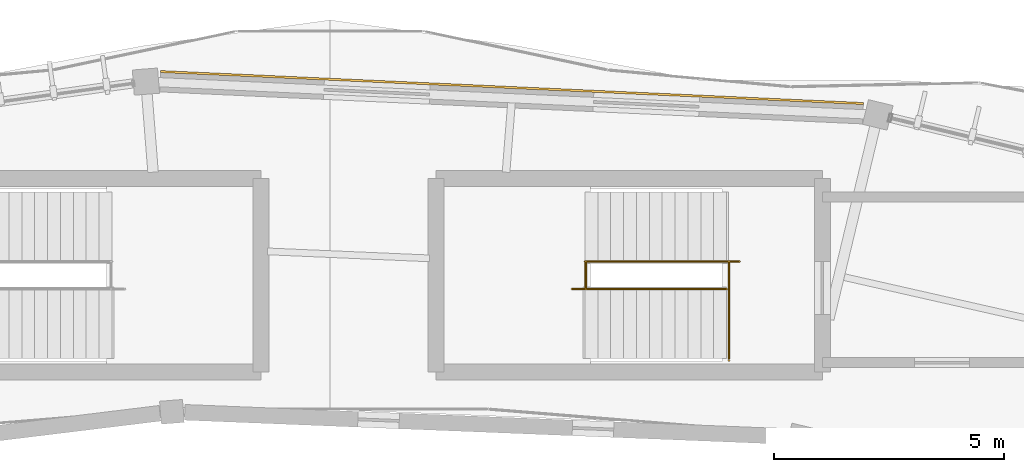
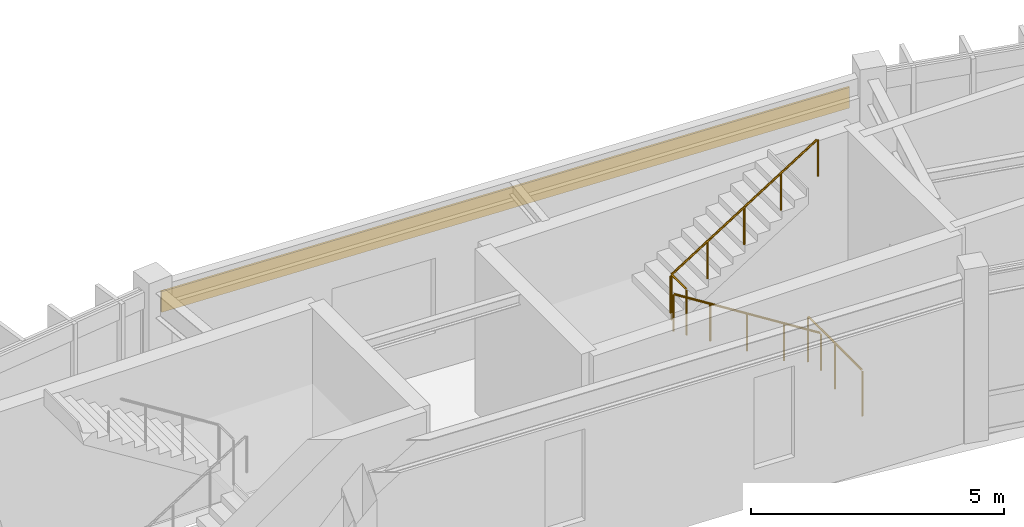
# One storey, part 78 of 79: 4 railings, 1 covering.
"""IFC4 building model written with IfcOpenShell, lengths in metres."""

from ifc_helpers import new_model, si_unit, direction, frame, origin, origin_2d, place, context, subcontext, project, spatial, polyline, circle, outline, extrude, material, layer, layer_set, type_object, element, save


model = new_model("IFC4")

# Units and contexts
model_context = context("Model", 3, precision=1e-05, world=origin(), true_north=direction((0.0, 1.0)))
body_context = subcontext(model_context, "Body", "Model", "MODEL_VIEW")
ifc_project = project(units=[si_unit("LENGTHUNIT", "METRE"), si_unit("AREAUNIT", "SQUARE_METRE"), si_unit("VOLUMEUNIT", "CUBIC_METRE"), si_unit("PLANEANGLEUNIT", "RADIAN"), si_unit("MASSUNIT", "GRAM", prefix="KILO"), si_unit("THERMODYNAMICTEMPERATUREUNIT", "KELVIN"), si_unit("POWERUNIT", "WATT")], contexts=[model_context])

# Site, building, storey
site_placement = place(None, origin())
site = spatial("IfcSite", under=ifc_project, at=site_placement, CompositionType="ELEMENT")
building_placement = place(site_placement, origin())
building = spatial("IfcBuilding", under=site, at=building_placement, Name="Darbajah Civic Hall", CompositionType="ELEMENT")
storey_placement = place(building_placement, frame((0.0, 0.0, 22.199951171875)))
storey = spatial("IfcBuildingStorey", under=building, at=storey_placement, Name="L05", CompositionType="ELEMENT", Elevation=22.199951171875)

# Railings
ifc_material_1 = material(Name="Brushed Bronze Stainless Steel", Category="steel")
railing_type_1 = type_object("IfcRailingType", Name="Brushed Bronze Handrail", PredefinedType="HANDRAIL", material=ifc_material_1)
railing_1_placement = place(storey_placement, frame((97.719970703125, 114.699951171875, 0.175048828125)))
element("IfcRailing", 1, at=railing_1_placement, inside=storey, type_object=railing_type_1, Name="ST02 L05 lower flight handrail", PredefinedType="HANDRAIL", context=body_context, shape_type="SweptSolid", body=[
    extrude(circle(Radius=0.02392578125, at=origin_2d()), frame((-0.023193359375, 0.0, 0.910400390625), z_axis=(-0.845926808262, 0.0, 0.533299010935), x_axis=(0.0, -1.0, 0.0)), (0.0, 0.0, 1.0), 3.917236328125),
    extrude(circle(Radius=0.02099609375, at=origin_2d()), origin(), (0.0, 0.0, 1.0), 0.867919921875),
    extrude(circle(Radius=0.02099609375, at=origin_2d()), frame((-0.83984375, 0.0, 0.529541015625)), (0.0, 0.0, 1.0), 0.867919921875),
    extrude(circle(Radius=0.02099609375, at=origin_2d()), frame((-1.679931640625, 0.0, 1.05908203125)), (0.0, 0.0, 1.0), 0.867919921875),
    extrude(circle(Radius=0.02099609375, at=origin_2d()), frame((-2.52001953125, 0.0, 1.588623046875)), (0.0, 0.0, 1.0), 0.867919921875),
    extrude(circle(Radius=0.02099609375, at=origin_2d()), frame((-3.35986328125, 0.0, 2.1181640625)), (0.0, 0.0, 1.0), 0.867919921875),
])
railing_2_placement = place(storey_placement, frame((94.639892578125, 115.300048828125, 2.275146484375)))
element("IfcRailing", 2, at=railing_2_placement, inside=storey, type_object=railing_type_1, Name="ST02 L05 upper flight handrail", PredefinedType="HANDRAIL", context=body_context, shape_type="SweptSolid", body=[
    extrude(circle(Radius=0.02392578125, at=origin_2d()), frame((0.023193359375, 0.0, 0.910400390625), z_axis=(0.845972016735, 0.0, 0.533227293844), x_axis=(0.0, 1.0, 0.0)), (0.0, 0.0, 1.0), 3.917236328125),
    extrude(circle(Radius=0.02099609375, at=origin_2d()), origin(), (0.0, 0.0, 1.0), 0.867919921875),
    extrude(circle(Radius=0.02099609375, at=origin_2d()), frame((0.840087890625, 0.0, 0.529541015625)), (0.0, 0.0, 1.0), 0.867919921875),
    extrude(circle(Radius=0.02099609375, at=origin_2d()), frame((1.68017578125, 0.0, 1.05908203125)), (0.0, 0.0, 1.0), 0.867919921875),
    extrude(circle(Radius=0.02099609375, at=origin_2d()), frame((2.52001953125, 0.0, 1.58837890625)), (0.0, 0.0, 1.0), 0.867919921875),
    extrude(circle(Radius=0.02099609375, at=origin_2d()), frame((3.360107421875, 0.0, 2.117919921875)), (0.0, 0.0, 1.0), 0.867919921875),
])
ifc_material_2 = material(Name="Brushed Bronze and Laminated Safety Glass", Category="glass")
railing_type_2 = type_object("IfcRailingType", Name="Interior Guard Balustrade", PredefinedType="BALUSTRADE", material=ifc_material_2)
railing_3_placement = place(storey_placement, frame((97.77001953125, 113.14990234375, 0.0)))
element("IfcRailing", 3, at=railing_3_placement, inside=storey, type_object=railing_type_2, Name="ST02 L05 stair-well edge guard", PredefinedType="BALUSTRADE", context=body_context, shape_type="SweptSolid", body=[
    extrude(circle(Radius=0.02392578125, at=origin_2d()), frame((0.0, 0.02734375, 1.09619140625), z_axis=(0.0, 1.0, 0.0), x_axis=(-1.0, 0.0, 0.0)), (0.0, 0.0, 1.0), 2.095458984375),
    extrude(circle(Radius=0.02099609375, at=origin_2d()), origin(), (0.0, 0.0, 1.0), 1.068115234375),
    extrude(circle(Radius=0.02099609375, at=origin_2d()), frame((0.0, 1.0751953125, 0.0)), (0.0, 0.0, 1.0), 1.068115234375),
    extrude(circle(Radius=0.02099609375, at=origin_2d()), frame((0.0, 2.150146484375, 0.0)), (0.0, 0.0, 1.0), 1.068115234375),
])
railing_4_placement = place(storey_placement, frame((94.659912109375, 114.699951171875, 2.10009765625)))
element("IfcRailing", 4, at=railing_4_placement, inside=storey, type_object=railing_type_2, Name="ST02 L05 landing well guard", PredefinedType="BALUSTRADE", context=body_context, shape_type="SweptSolid", body=[
    extrude(circle(Radius=0.02392578125, at=origin_2d()), frame((0.0, 0.02734375, 1.09619140625), z_axis=(0.0, 1.0, 0.0), x_axis=(-1.0, 0.0, 0.0)), (0.0, 0.0, 1.0), 0.54541015625),
    extrude(circle(Radius=0.02099609375, at=origin_2d()), origin(), (0.0, 0.0, 1.0), 1.068115234375),
    extrude(circle(Radius=0.02099609375, at=origin_2d()), frame((0.0, 0.60009765625, 0.0)), (0.0, 0.0, 1.0), 1.068115234375),
])

# Covering
ifc_material_3 = material(Name="Qatari Desert Limestone Ashlar", Category="masonry")
ifc_layer = layer(ifc_material_3, 0.044921875, Name="Qatari Desert Limestone Ashlar")
ifc_layer_set = layer_set([ifc_layer], Name="Qatari Desert Limestone Ashlar")
covering_type = type_object("IfcCoveringType", Name="Limestone Facade Cladding", PredefinedType="CLADDING", material=ifc_layer_set)
covering_placement = place(storey_placement, frame((0.0, 0.0, 3.02001953125)))
element("IfcCovering", 5, at=covering_placement, inside=storey, type_object=covering_type, Name="L05 stone frieze cladding EW-V1O-L05-04", PredefinedType="CLADDING", context=body_context, shape_type="SweptSolid", body=[
    extrude(outline(polyline([(100.691650390625, 118.70947265625), (85.416748046875, 119.40478515625), (85.418701171875, 119.44970703125), (100.693603515625, 118.75439453125), (100.691650390625, 118.70947265625)])), origin(), (0.0, 0.0, 1.0), 0.5),
])

save(model, "model.ifc")
